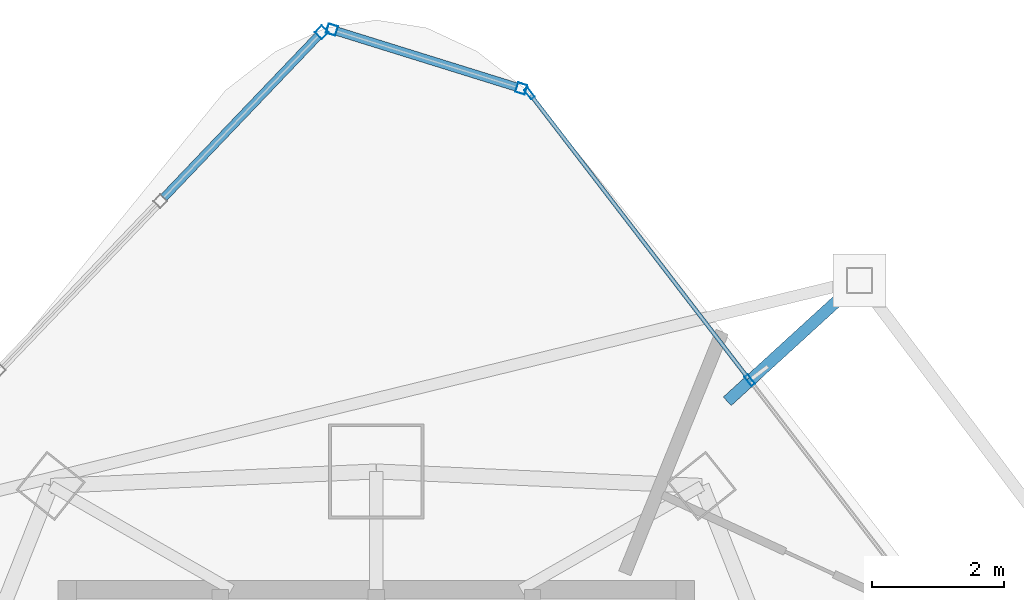
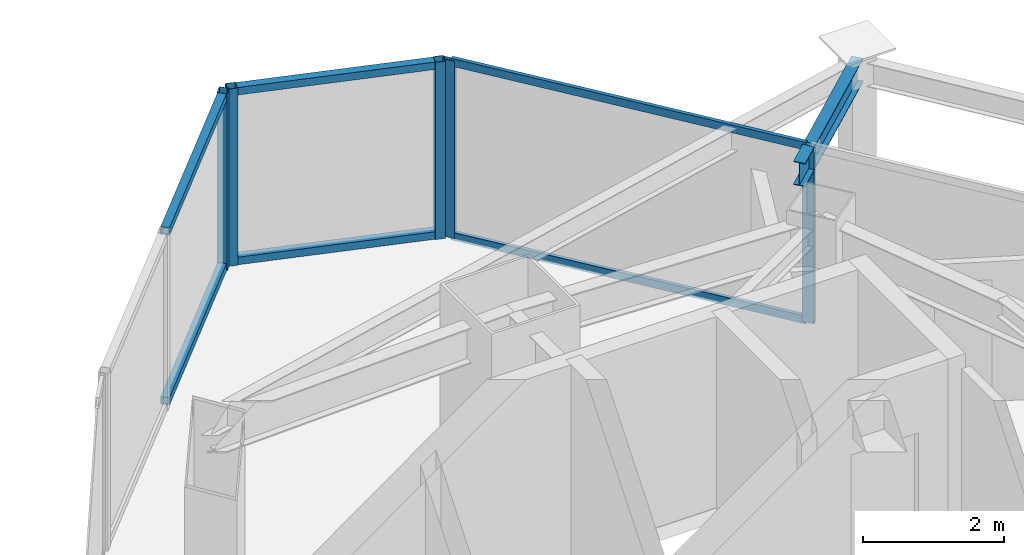
# One storey, part 24 of 31: 11 members, 1 beam, 3 elements without a shape of their own.
"""IFC4 building model written with IfcOpenShell, lengths in metres."""

from ifc_helpers import new_model, si_unit, direction, frame, origin, origin_2d, place, context, subcontext, project, spatial, hollow_rectangle, i_section, extrude, material, layer, layer_set, material_profile, profile_set, type_object, element, aggregate, save


model = new_model("IFC4")

# Units and contexts
model_context = context("Model", 3, precision=1e-05, world=origin(), true_north=direction((0.0, 1.0)))
body_context = subcontext(model_context, "Body", "Model", "MODEL_VIEW")
ifc_project = project(units=[si_unit("LENGTHUNIT", "METRE"), si_unit("AREAUNIT", "SQUARE_METRE"), si_unit("VOLUMEUNIT", "CUBIC_METRE"), si_unit("PLANEANGLEUNIT", "RADIAN"), si_unit("MASSUNIT", "GRAM", prefix="KILO")], contexts=[model_context])

# Site, building, storey
site_placement = place(None, origin())
site = spatial("IfcSite", under=ifc_project, at=site_placement, CompositionType="ELEMENT")
building_placement = place(site_placement, origin())
building = spatial("IfcBuilding", under=site, at=building_placement, Name="Orvanel Arch Residences", CompositionType="ELEMENT")
storey_placement = place(building_placement, frame((0.0, 0.0, 157.25)))
storey = spatial("IfcBuildingStorey", under=building, at=storey_placement, Name="L44", CompositionType="ELEMENT", Elevation=157.25)

# Curtain wall, members
ifc_material_1 = material(Name="Bronze-anodised aluminium AA6063-T6", Category="aluminium")
ifc_layer_1 = layer(ifc_material_1, 0.18994140625)
ifc_layer_set_1 = layer_set([ifc_layer_1], Name="Bronze-anodised aluminium AA6063-T6")
curtain_wall_type_1 = type_object("IfcCurtainWallType", Name="CW5-CRN-SYS", PredefinedType="NOTDEFINED", material=ifc_layer_set_1)
curtain_wall_1_placement = place(storey_placement, origin())
curtain_wall_1 = element("IfcCurtainWall", 1, at=curtain_wall_1_placement, inside=storey, type_object=curtain_wall_type_1, Name="L44 CW5-CRN-SYS Unitised Curtain Wall", PredefinedType="NOTDEFINED")
ifc_material_profile_1 = material_profile(ifc_material_1, hollow_rectangle(XDim=0.14990234375, YDim=0.14990234375, WallThickness=0.0048828125, at=origin_2d()), Name="ALU150x150x5")
ifc_profile_set_1 = profile_set([ifc_material_profile_1], Name="Bronze-anodised aluminium AA6063-T6")
member_type_1 = type_object("IfcMemberType", Name="MUL-150x150", PredefinedType="MULLION", material=ifc_profile_set_1)
member_1_placement = place(storey_placement, frame((35.204345703125, 47.22021484375, 0.0), z_axis=(0.0, 0.0, 1.0), x_axis=(-0.297015336288, -0.954872708799, 0.0)))
member_1 = element("IfcMember", 2, at=member_1_placement, type_object=member_type_1, Name="CW-S5 mullion 1", PredefinedType="MULLION", context=body_context, shape_type="SweptSolid", body=[
    extrude(hollow_rectangle(XDim=0.14990234375, YDim=0.14990234375, WallThickness=0.0048828125, at=origin_2d()), origin(), (0.0, 0.0, 1.0), 3.06005859375),
])
member_2_placement = place(storey_placement, frame((32.32568359375, 48.11572265625, 0.0), z_axis=(0.0, 0.0, 1.0), x_axis=(-0.297015336288, -0.954872708799, 0.0)))
member_2 = element("IfcMember", 3, at=member_2_placement, type_object=member_type_1, Name="CW-S5 mullion 2", PredefinedType="MULLION", context=body_context, shape_type="SweptSolid", body=[
    extrude(hollow_rectangle(XDim=0.14990234375, YDim=0.14990234375, WallThickness=0.0048828125, at=origin_2d()), origin(), (0.0, 0.0, 1.0), 3.06005859375),
])

# Curtain wall, member
curtain_wall_2_placement = place(storey_placement, origin())
curtain_wall_2 = element("IfcCurtainWall", 4, at=curtain_wall_2_placement, inside=storey, type_object=curtain_wall_type_1, Name="L44 CW5-CRN-SYS Unitised Curtain Wall", PredefinedType="NOTDEFINED")
member_3_placement = place(storey_placement, frame((32.169189453125, 48.07568359375, 0.0), z_axis=(0.0, 0.0, 1.0), x_axis=(0.723045752642, -0.69080014446, 0.0)))
member_3 = element("IfcMember", 5, at=member_3_placement, type_object=member_type_1, Name="CW-S5 mullion 1", PredefinedType="MULLION", context=body_context, shape_type="SweptSolid", body=[
    extrude(hollow_rectangle(XDim=0.14990234375, YDim=0.14990234375, WallThickness=0.0048828125, at=origin_2d()), origin(), (0.0, 0.0, 1.0), 3.06005859375),
])

# Curtain wall, members
ifc_layer_2 = layer(ifc_material_1, 0.179931640625)
ifc_layer_set_2 = layer_set([ifc_layer_2], Name="Bronze-anodised aluminium AA6063-T6")
curtain_wall_type_2 = type_object("IfcCurtainWallType", Name="CW3-MID-SYS", PredefinedType="NOTDEFINED", material=ifc_layer_set_2)
curtain_wall_3_placement = place(storey_placement, origin())
curtain_wall_3 = element("IfcCurtainWall", 6, at=curtain_wall_3_placement, inside=storey, type_object=curtain_wall_type_2, Name="L44 CW3-MID-SYS Unitised Curtain Wall", PredefinedType="NOTDEFINED")
ifc_material_profile_2 = material_profile(ifc_material_1, hollow_rectangle(XDim=0.070068359375, YDim=0.179931640625, WallThickness=0.00439453125, at=origin_2d()), Name="ALU180x70x4.5")
ifc_profile_set_2 = profile_set([ifc_material_profile_2], Name="Bronze-anodised aluminium AA6063-T6")
member_type_2 = type_object("IfcMemberType", Name="MUL-180x70", PredefinedType="MULLION", material=ifc_profile_set_2)
member_4_placement = place(storey_placement, frame((38.67822265625, 42.784423828125, 0.0), z_axis=(0.0, 0.0, 1.0), x_axis=(-0.793223434489, -0.608930688155, 0.0)))
member_4 = element("IfcMember", 7, at=member_4_placement, type_object=member_type_2, Name="CW-S3 mullion 3", PredefinedType="MULLION", context=body_context, shape_type="SweptSolid", body=[
    extrude(hollow_rectangle(XDim=0.070068359375, YDim=0.179931640625, WallThickness=0.00439453125, at=origin_2d()), origin(), (0.0, 0.0, 1.0), 3.06005859375),
])
member_5_placement = place(storey_placement, frame((35.328369140625, 47.148193359375, 0.0), z_axis=(0.0, 0.0, 1.0), x_axis=(-0.793223434489, -0.608930688155, 0.0)))
member_5 = element("IfcMember", 8, at=member_5_placement, type_object=member_type_2, Name="CW-S3 mullion 4", PredefinedType="MULLION", context=body_context, shape_type="SweptSolid", body=[
    extrude(hollow_rectangle(XDim=0.070068359375, YDim=0.179931640625, WallThickness=0.00439453125, at=origin_2d()), origin(), (0.0, 0.0, 1.0), 3.06005859375),
])

# Beam
ifc_material_2 = material(Name="Structural steel AS/NZS 3679.1 Grade 300 (300 MPa)", Category="steel")
ifc_material_profile_3 = material_profile(ifc_material_2, i_section(OverallWidth=0.177978515625, OverallDepth=0.406005859375, WebThickness=0.0078125, FlangeThickness=0.0126953125, at=origin_2d()), Name="410UB59.7")
ifc_profile_set_3 = profile_set([ifc_material_profile_3], Name="Structural steel AS/NZS 3679.1 Grade 300 (300 MPa)")
beam_type = type_object("IfcBeamType", Name="OB-410UB-EXT", PredefinedType="SPANDREL", material=ifc_profile_set_3)
beam_placement = place(storey_placement, frame((38.3359375, 42.464111328125, 2.85693359375), z_axis=(0.738161407706, 0.674624144375, 0.0), x_axis=(-0.674624144375, 0.738161407706, 0.0)))
element("IfcBeam", 9, at=beam_placement, inside=storey, type_object=beam_type, Name="L44 Outer Frame Radial Tie Beam 12", PredefinedType="SPANDREL", context=body_context, shape_type="SweptSolid", body=[
    extrude(i_section(OverallWidth=0.177978515625, OverallDepth=0.406005859375, WebThickness=0.0078125, FlangeThickness=0.0126953125, at=origin_2d()), origin(), (0.0, 0.0, 1.0), 2.724365234375),
])

# Member
ifc_material_profile_4 = material_profile(ifc_material_1, hollow_rectangle(XDim=0.1298828125, YDim=0.1298828125, WallThickness=0.00439453125, at=origin_2d()), Name="ALU130x130x4.5")
ifc_profile_set_4 = profile_set([ifc_material_profile_4], Name="Bronze-anodised aluminium AA6063-T6")
member_type_3 = type_object("IfcMemberType", Name="TRN-130x130", PredefinedType="USERDEFINED", material=ifc_profile_set_4)
member_6_placement = place(storey_placement, frame((35.1328125, 47.242431640625, 0.06494140625), z_axis=(-0.954856776331, 0.297066552636, 0.0), x_axis=(-0.297066552636, -0.954856776331, 0.0)))
member_6 = element("IfcMember", 10, at=member_6_placement, type_object=member_type_3, Name="CW-S5 transom 1.1", ObjectType="TRANSOM", PredefinedType="USERDEFINED", context=body_context, shape_type="SweptSolid", body=[
    extrude(hollow_rectangle(XDim=0.1298828125, YDim=0.1298828125, WallThickness=0.00439453125, at=origin_2d()), origin(), (0.0, 0.0, 1.0), 2.864990234375),
])

member_7_placement = place(storey_placement, frame((35.1328125, 47.242431640625, 2.9951171875), z_axis=(-0.954856776331, 0.297066552636, 0.0), x_axis=(-0.297066552636, -0.954856776331, 0.0)))
member_7 = element("IfcMember", 11, at=member_7_placement, type_object=member_type_3, Name="CW-S5 transom 1.2", ObjectType="TRANSOM", PredefinedType="USERDEFINED", context=body_context, shape_type="SweptSolid", body=[
    extrude(hollow_rectangle(XDim=0.1298828125, YDim=0.1298828125, WallThickness=0.00439453125, at=origin_2d()), origin(), (0.0, 0.0, 1.0), 2.864990234375),
])

aggregate(curtain_wall_1, [member_1, member_2, member_6, member_7])

member_8_placement = place(storey_placement, frame((32.117431640625, 48.021484375, 0.06494140625), z_axis=(-0.690818606402, -0.723028113595, 0.0), x_axis=(0.723028113595, -0.690818606402, 0.0)))
member_8 = element("IfcMember", 12, at=member_8_placement, type_object=member_type_3, Name="CW-S5 transom 1.1", ObjectType="TRANSOM", PredefinedType="USERDEFINED", context=body_context, shape_type="SweptSolid", body=[
    extrude(hollow_rectangle(XDim=0.1298828125, YDim=0.1298828125, WallThickness=0.00439453125, at=origin_2d()), origin(), (0.0, 0.0, 1.0), 3.4033203125),
])

member_9_placement = place(storey_placement, frame((32.117431640625, 48.021484375, 2.9951171875), z_axis=(-0.690818606402, -0.723028113595, 0.0), x_axis=(0.723028113595, -0.690818606402, 0.0)))
member_9 = element("IfcMember", 13, at=member_9_placement, type_object=member_type_3, Name="CW-S5 transom 1.2", ObjectType="TRANSOM", PredefinedType="USERDEFINED", context=body_context, shape_type="SweptSolid", body=[
    extrude(hollow_rectangle(XDim=0.1298828125, YDim=0.1298828125, WallThickness=0.00439453125, at=origin_2d()), origin(), (0.0, 0.0, 1.0), 3.4033203125),
])

aggregate(curtain_wall_2, [member_3, member_8, member_9])

ifc_material_profile_5 = material_profile(ifc_material_1, hollow_rectangle(XDim=0.06005859375, YDim=0.135009765625, WallThickness=0.00390625, at=origin_2d()), Name="ALU135x60x4")
ifc_profile_set_5 = profile_set([ifc_material_profile_5], Name="Bronze-anodised aluminium AA6063-T6")
member_type_4 = type_object("IfcMemberType", Name="TRN-135x60", PredefinedType="USERDEFINED", material=ifc_profile_set_5)
member_10_placement = place(storey_placement, frame((38.656982421875, 42.81201171875, 0.030029296875), z_axis=(-0.608930617314, 0.793223488871, 0.0), x_axis=(-0.793223488871, -0.608930617314, 0.0)))
member_10 = element("IfcMember", 14, at=member_10_placement, type_object=member_type_4, Name="CW-S3 transom 3.1", ObjectType="TRANSOM", PredefinedType="USERDEFINED", context=body_context, shape_type="SweptSolid", body=[
    extrude(hollow_rectangle(XDim=0.06005859375, YDim=0.135009765625, WallThickness=0.00390625, at=origin_2d()), origin(), (0.0, 0.0, 1.0), 5.431396484375),
])

member_11_placement = place(storey_placement, frame((38.656982421875, 42.81201171875, 3.030029296875), z_axis=(-0.608930617314, 0.793223488871, 0.0), x_axis=(-0.793223488871, -0.608930617314, 0.0)))
member_11 = element("IfcMember", 15, at=member_11_placement, type_object=member_type_4, Name="CW-S3 transom 3.2", ObjectType="TRANSOM", PredefinedType="USERDEFINED", context=body_context, shape_type="SweptSolid", body=[
    extrude(hollow_rectangle(XDim=0.06005859375, YDim=0.135009765625, WallThickness=0.00390625, at=origin_2d()), origin(), (0.0, 0.0, 1.0), 5.431396484375),
])

aggregate(curtain_wall_3, [member_4, member_5, member_10, member_11])

save(model, "model.ifc")
